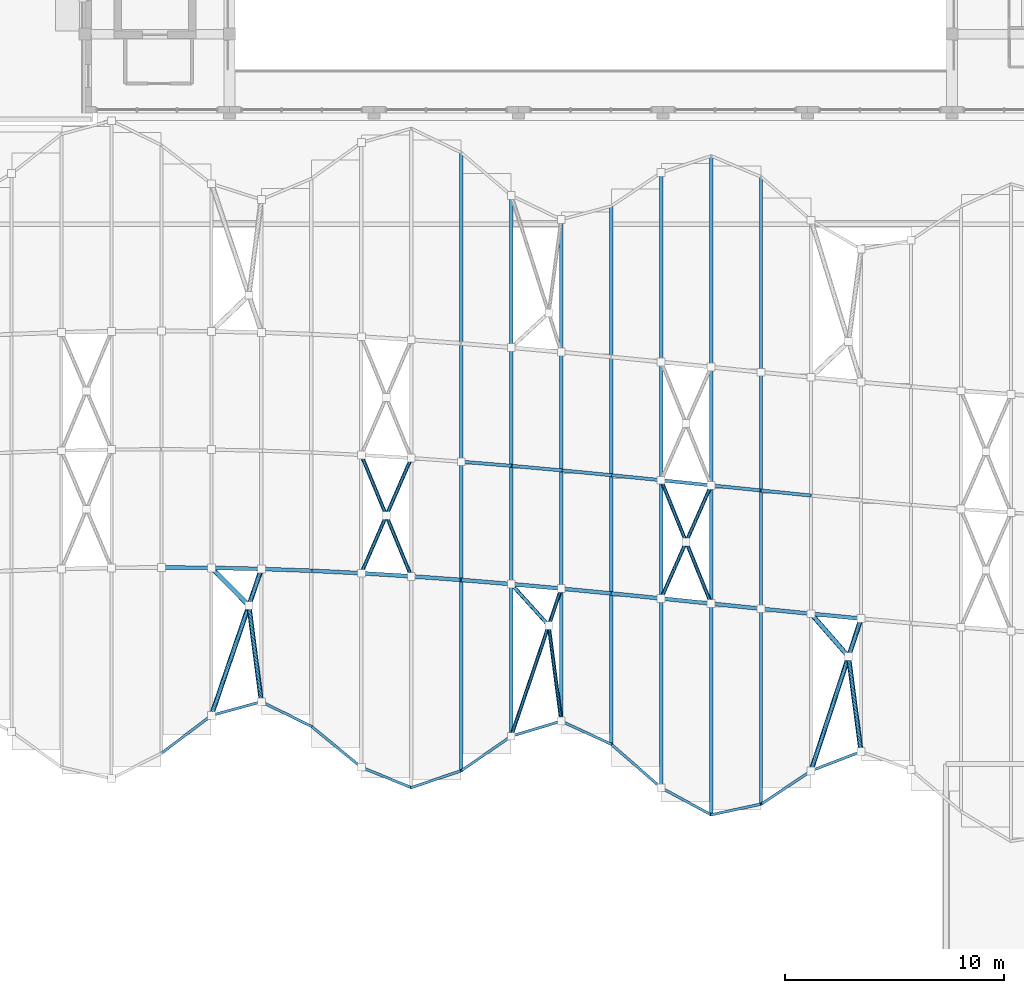
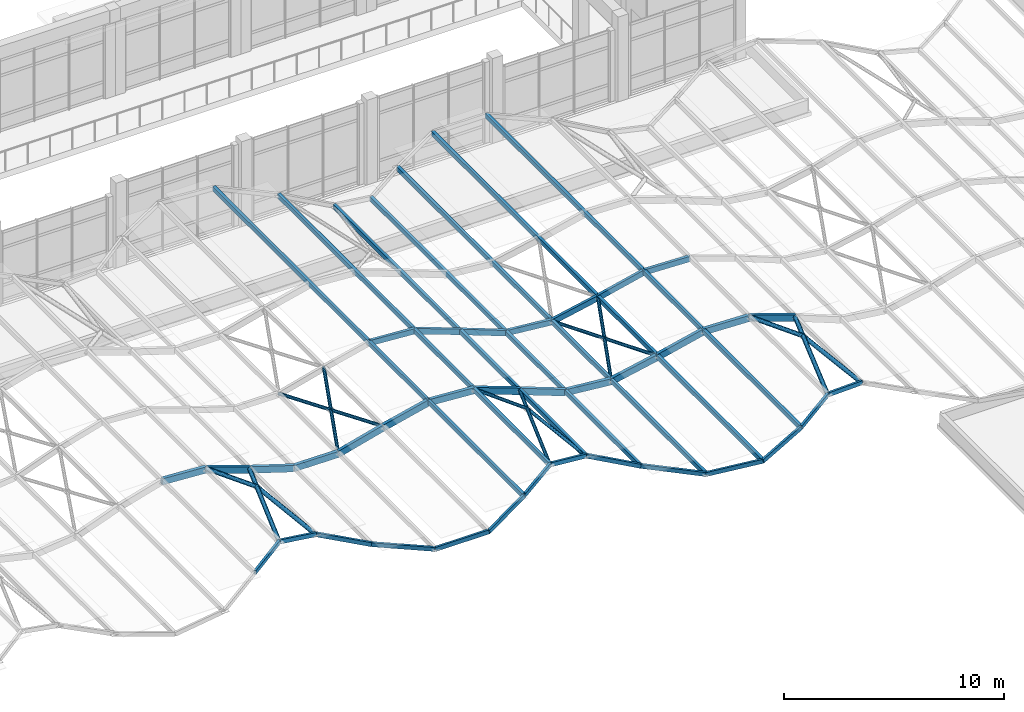
# One storey, part 14 of 79: 57 members.
"""IFC4 building model written with IfcOpenShell, lengths in metres."""

from ifc_helpers import new_model, si_unit, direction, frame, origin, origin_2d, place, context, subcontext, project, spatial, hollow_rectangle, hollow_circle, extrude, material, material_profile, profile_set, type_object, element, save


model = new_model("IFC4")

# Units and contexts
model_context = context("Model", 3, precision=1e-05, world=origin(), true_north=direction((0.0, 1.0)))
body_context = subcontext(model_context, "Body", "Model", "MODEL_VIEW")
ifc_project = project(units=[si_unit("LENGTHUNIT", "METRE"), si_unit("AREAUNIT", "SQUARE_METRE"), si_unit("VOLUMEUNIT", "CUBIC_METRE"), si_unit("PLANEANGLEUNIT", "RADIAN"), si_unit("MASSUNIT", "GRAM", prefix="KILO")], contexts=[model_context])

# Site, building, storey
site_placement = place(None, origin())
site = spatial("IfcSite", under=ifc_project, at=site_placement, CompositionType="ELEMENT")
building_placement = place(site_placement, origin())
building = spatial("IfcBuilding", under=site, at=building_placement, Name="Kolvaren Faculty of Natural Sciences", CompositionType="ELEMENT")
storey_placement = place(building_placement, frame((0.0, 0.0, 10.199951171875)))
storey = spatial("IfcBuildingStorey", under=building, at=storey_placement, Name="L02", CompositionType="ELEMENT", Elevation=10.199951171875)

# Members
ifc_material = material(Name="Structural steel EN 10210-1 S355J2H (white architectural finish)", Category="steel")
ifc_material_profile_1 = material_profile(ifc_material, hollow_circle(Radius=0.084228515625, WallThickness=0.008056640625, at=origin_2d()), Name="CHS 168.3x8")
ifc_profile_set_1 = profile_set([ifc_material_profile_1], Name="Structural steel EN 10210-1 S355J2H (white architectural finish)")
member_type_1 = type_object("IfcMemberType", Name="CanopyGridCrossBrace_CHS168", PredefinedType="BRACE", material=ifc_profile_set_1)
member_1_placement = place(storey_placement, frame((72.227294921875, 51.18798828125, 2.521484375), z_axis=(0.394702036442, 0.90972357875, 0.128892640191), x_axis=(-0.917375819805, 0.398022116517, 0.0)))
element("IfcMember", 1, at=member_1_placement, inside=storey, type_object=member_type_1, Name="Canopy X-brace continuous diagonal S2-16-A", PredefinedType="BRACE", context=body_context, shape_type="SweptSolid", body=[
    extrude(hollow_circle(Radius=0.084228515625, WallThickness=0.008056640625, at=origin_2d()), origin(), (0.0, 0.0, 1.0), 5.781005859375),
])
member_2_placement = place(storey_placement, frame((72.227294921875, 56.588134765625, 2.521484375), z_axis=(0.377832375827, -0.917616013967, 0.123383737537), x_axis=(0.924681473222, 0.380741609337, 0.0)))
element("IfcMember", 2, at=member_2_placement, inside=storey, type_object=member_type_1, Name="Canopy X-brace split diagonal S2-16-B1", PredefinedType="BRACE", context=body_context, shape_type="SweptSolid", body=[
    extrude(hollow_circle(Radius=0.084228515625, WallThickness=0.008056640625, at=origin_2d()), origin(), (0.0, 0.0, 1.0), 3.01953125),
])
member_3_placement = place(storey_placement, frame((73.3681640625, 53.8173828125, 2.89404296875), z_axis=(0.377888448588, -0.917590461401, 0.12340204848), x_axis=(0.924657845415, 0.380798987541, 0.0)))
element("IfcMember", 3, at=member_3_placement, inside=storey, type_object=member_type_1, Name="Canopy X-brace split diagonal S2-16-B2", PredefinedType="BRACE", context=body_context, shape_type="SweptSolid", body=[
    extrude(hollow_circle(Radius=0.084228515625, WallThickness=0.008056640625, at=origin_2d()), origin(), (0.0, 0.0, 1.0), 3.01904296875),
])
member_4_placement = place(storey_placement, frame((79.07275390625, 43.746337890625, 3.9599609375), z_axis=(0.319083720225, 0.942399735649, -0.100341007248), x_axis=(-0.947180053394, 0.320702270732, 0.0)))
element("IfcMember", 4, at=member_4_placement, inside=storey, type_object=member_type_1, Name="Canopy X-brace continuous diagonal S1-19-A", PredefinedType="BRACE", context=body_context, shape_type="SweptSolid", body=[
    extrude(hollow_circle(Radius=0.084228515625, WallThickness=0.008056640625, at=origin_2d()), origin(), (0.0, 0.0, 1.0), 7.15087890625),
])
member_5_placement = place(storey_placement, frame((79.07275390625, 50.692138671875, 3.9599609375), z_axis=(0.656462528453, -0.725573704773, -0.206397063154), x_axis=(0.741540313868, 0.67090831185, 0.0)))
element("IfcMember", 5, at=member_5_placement, inside=storey, type_object=member_type_1, Name="Canopy X-brace split diagonal S1-19-B1", PredefinedType="BRACE", context=body_context, shape_type="SweptSolid", body=[
    extrude(hollow_circle(Radius=0.084228515625, WallThickness=0.008056640625, at=origin_2d()), origin(), (0.0, 0.0, 1.0), 2.60693359375),
])
member_6_placement = place(storey_placement, frame((80.7841796875, 48.800537109375, 3.421875), z_axis=(0.129433224531, -0.990751493079, -0.040724922958), x_axis=(0.991574106722, 0.12954069198, 0.0)))
element("IfcMember", 6, at=member_6_placement, inside=storey, type_object=member_type_1, Name="Canopy X-brace split diagonal S1-19-B2", PredefinedType="BRACE", context=body_context, shape_type="SweptSolid", body=[
    extrude(hollow_circle(Radius=0.084228515625, WallThickness=0.008056640625, at=origin_2d()), origin(), (0.0, 0.0, 1.0), 4.40625),
])
member_7_placement = place(storey_placement, frame((85.918212890625, 50.034912109375, 2.462158203125), z_axis=(0.401135453106, 0.908027139516, 0.120735504985), x_axis=(-0.914718569105, 0.404091498717, 0.0)))
element("IfcMember", 7, at=member_7_placement, inside=storey, type_object=member_type_1, Name="Canopy X-brace continuous diagonal S2-22-A", PredefinedType="BRACE", context=body_context, shape_type="SweptSolid", body=[
    extrude(hollow_circle(Radius=0.084228515625, WallThickness=0.008056640625, at=origin_2d()), origin(), (0.0, 0.0, 1.0), 5.688232421875),
])
for number, where, z_axis, x_axis, name in (
    (8, (85.918212890625, 55.434814453125, 2.462158203125), (0.372960043203, -0.921026941699, 0.112295052597), (0.92688960448, 0.375334066008, 0.0), "Canopy X-brace split diagonal S2-22-B1"),
    (9, (87.05908203125, 52.617431640625, 2.8056640625), (0.372963384699, -0.921035193543, 0.112216246284), (0.92688960448, 0.375334066008, 0.0), "Canopy X-brace split diagonal S2-22-B2"),
):
    element("IfcMember", number, at=place(storey_placement, frame(where, z_axis=z_axis, x_axis=x_axis)), inside=storey, type_object=member_type_1, Name=name, PredefinedType="BRACE", context=body_context, shape_type="SweptSolid", body=[
        extrude(hollow_circle(Radius=0.084228515625, WallThickness=0.008056640625, at=origin_2d()), origin(), (0.0, 0.0, 1.0), 3.058837890625),
    ])
ifc_material_profile_2 = material_profile(ifc_material, hollow_rectangle(XDim=0.14990234375, YDim=0.300048828125, WallThickness=0.010009765625, at=origin_2d()), Name="RHS 300x150x10")
ifc_profile_set_2 = profile_set([ifc_material_profile_2], Name="Structural steel EN 10210-1 S355J2H (white architectural finish)")
member_type_2 = type_object("IfcMemberType", Name="CanopyRidgeChord_RHS300", PredefinedType="PURLIN", material=ifc_profile_set_2)
member_8_placement = place(storey_placement, frame((76.791015625, 56.280517578125, 3.947021484375), z_axis=(0.996592194974, -0.082320690618, -0.005225017928), x_axis=(0.082321814352, 0.996605799141, 0.0)))
element("IfcMember", 10, at=member_8_placement, inside=storey, type_object=member_type_2, Name="Covered street wave canopy ridge chord 18", PredefinedType="PURLIN", context=body_context, shape_type="SweptSolid", body=[
    extrude(hollow_rectangle(XDim=0.14990234375, YDim=0.300048828125, WallThickness=0.010009765625, at=origin_2d()), origin(), (0.0, 0.0, 1.0), 2.28955078125),
])
member_9_placement = place(storey_placement, frame((79.07275390625, 56.092041015625, 3.93505859375), z_axis=(0.950407709411, -0.086030913991, -0.29887098844), x_axis=(0.090151417481, 0.995928070659, 0.0)))
element("IfcMember", 11, at=member_9_placement, inside=storey, type_object=member_type_2, Name="Covered street wave canopy ridge chord 19", PredefinedType="PURLIN", context=body_context, shape_type="SweptSolid", body=[
    extrude(hollow_rectangle(XDim=0.14990234375, YDim=0.300048828125, WallThickness=0.010009765625, at=origin_2d()), origin(), (0.0, 0.0, 1.0), 2.40087890625),
])
member_10_placement = place(storey_placement, frame((81.3544921875, 55.885498046875, 3.217529296875), z_axis=(0.94791266905, -0.091677870207, -0.305052028298), x_axis=(0.096266339163, 0.995355610797, 0.0)))
element("IfcMember", 12, at=member_10_placement, inside=storey, type_object=member_type_2, Name="Covered street wave canopy ridge chord 20", PredefinedType="PURLIN", context=body_context, shape_type="SweptSolid", body=[
    extrude(hollow_rectangle(XDim=0.14990234375, YDim=0.300048828125, WallThickness=0.010009765625, at=origin_2d()), origin(), (0.0, 0.0, 1.0), 2.407470703125),
])
member_11_placement = place(storey_placement, frame((83.636474609375, 55.664794921875, 2.483154296875), z_axis=(0.994759671724, -0.100263600553, -0.020010145333), x_axis=(0.100283679652, 0.994958885379, 0.0)))
element("IfcMember", 13, at=member_11_placement, inside=storey, type_object=member_type_2, Name="Covered street wave canopy ridge chord 21", PredefinedType="PURLIN", context=body_context, shape_type="SweptSolid", body=[
    extrude(hollow_rectangle(XDim=0.14990234375, YDim=0.300048828125, WallThickness=0.010009765625, at=origin_2d()), origin(), (0.0, 0.0, 1.0), 2.293701171875),
])
member_12_placement = place(storey_placement, frame((85.918212890625, 55.434814453125, 2.437255859375), z_axis=(0.952976634252, -0.098091538856, 0.28672911358), x_axis=(0.102390752596, 0.994744255466, 0.0)))
element("IfcMember", 14, at=member_12_placement, inside=storey, type_object=member_type_2, Name="Covered street wave canopy ridge chord 22", PredefinedType="PURLIN", context=body_context, shape_type="SweptSolid", body=[
    extrude(hollow_rectangle(XDim=0.14990234375, YDim=0.300048828125, WallThickness=0.010009765625, at=origin_2d()), origin(), (0.0, 0.0, 1.0), 2.394287109375),
])
member_13_placement = place(storey_placement, frame((88.199951171875, 55.199951171875, 3.123779296875), z_axis=(0.944292364568, -0.097197651906, 0.314427331322), x_axis=(0.102390752596, 0.994744255466, 0.0)))
element("IfcMember", 15, at=member_13_placement, inside=storey, type_object=member_type_2, Name="Covered street wave canopy ridge chord 23", PredefinedType="PURLIN", context=body_context, shape_type="SweptSolid", body=[
    extrude(hollow_rectangle(XDim=0.14990234375, YDim=0.300048828125, WallThickness=0.010009765625, at=origin_2d()), origin(), (0.0, 0.0, 1.0), 2.416259765625),
])
member_14_placement = place(storey_placement, frame((90.481689453125, 54.965087890625, 3.883544921875), z_axis=(0.993948117452, -0.100171084481, 0.045087621889), x_axis=(0.100273058564, 0.994959955841, 0.0)))
element("IfcMember", 16, at=member_14_placement, inside=storey, type_object=member_type_2, Name="Covered street wave canopy ridge chord 24", PredefinedType="PURLIN", context=body_context, shape_type="SweptSolid", body=[
    extrude(hollow_rectangle(XDim=0.14990234375, YDim=0.300048828125, WallThickness=0.010009765625, at=origin_2d()), origin(), (0.0, 0.0, 1.0), 2.2958984375),
])
ifc_material_profile_3 = material_profile(ifc_material, hollow_rectangle(XDim=0.175048828125, YDim=0.35009765625, WallThickness=0.012451171875, at=origin_2d()), Name="RHS 350x175x12.5")
ifc_profile_set_3 = profile_set([ifc_material_profile_3], Name="Structural steel EN 10210-1 S355J2H (white architectural finish)")
member_type_3 = type_object("IfcMemberType", Name="CanopySpineChord_RHS350", PredefinedType="PURLIN", material=ifc_profile_set_3)
member_15_placement = place(storey_placement, frame((63.10009765625, 51.449951171875, 3.970947265625), z_axis=(0.99842862178, -0.007371236347, -0.055551346386), x_axis=(0.00738263638, 0.999972747969, 0.0)))
element("IfcMember", 17, at=member_15_placement, inside=storey, type_object=member_type_3, Name="Covered street wave canopy s-spine chord 12", PredefinedType="PURLIN", context=body_context, shape_type="SweptSolid", body=[
    extrude(hollow_rectangle(XDim=0.175048828125, YDim=0.35009765625, WallThickness=0.012451171875, at=origin_2d()), origin(), (0.0, 0.0, 1.0), 2.285400390625),
])
member_16_placement = place(storey_placement, frame((65.3818359375, 51.43310546875, 3.843994140625), z_axis=(0.947390209593, -0.020679178553, -0.319412213827), x_axis=(0.021822321893, 0.999761864779, 0.0)))
element("IfcMember", 18, at=member_16_placement, inside=storey, type_object=member_type_3, Name="Covered street wave canopy s-spine chord 13", PredefinedType="PURLIN", context=body_context, shape_type="SweptSolid", body=[
    extrude(hollow_rectangle(XDim=0.175048828125, YDim=0.35009765625, WallThickness=0.012451171875, at=origin_2d()), origin(), (0.0, 0.0, 1.0), 2.408447265625),
])
member_17_placement = place(storey_placement, frame((67.66357421875, 51.38330078125, 3.07470703125), z_axis=(0.95859765012, -0.034664170936, -0.282646316864), x_axis=(0.036137715307, 0.999346819444, 0.0)))
element("IfcMember", 19, at=member_17_placement, inside=storey, type_object=member_type_3, Name="Covered street wave canopy s-spine chord 14", PredefinedType="PURLIN", context=body_context, shape_type="SweptSolid", body=[
    extrude(hollow_rectangle(XDim=0.175048828125, YDim=0.35009765625, WallThickness=0.012451171875, at=origin_2d()), origin(), (0.0, 0.0, 1.0), 2.380615234375),
])
member_18_placement = place(storey_placement, frame((69.945556640625, 51.30078125, 2.40185546875), z_axis=(0.998317497296, -0.049349741467, 0.030443022334), x_axis=(0.049372625492, 0.998780428248, 0.0)))
element("IfcMember", 20, at=member_18_placement, inside=storey, type_object=member_type_3, Name="Covered street wave canopy s-spine chord 15", PredefinedType="PURLIN", context=body_context, shape_type="SweptSolid", body=[
    extrude(hollow_rectangle(XDim=0.175048828125, YDim=0.35009765625, WallThickness=0.012451171875, at=origin_2d()), origin(), (0.0, 0.0, 1.0), 2.28564453125),
])
member_19_placement = place(storey_placement, frame((72.227294921875, 51.18798828125, 2.471435546875), z_axis=(0.948965276915, -0.05858687832, 0.309891079087), x_axis=(0.061620319415, 0.998099662476, 0.0)))
element("IfcMember", 21, at=member_19_placement, inside=storey, type_object=member_type_3, Name="Covered street wave canopy s-spine chord 16", PredefinedType="PURLIN", context=body_context, shape_type="SweptSolid", body=[
    extrude(hollow_rectangle(XDim=0.175048828125, YDim=0.35009765625, WallThickness=0.012451171875, at=origin_2d()), origin(), (0.0, 0.0, 1.0), 2.404541015625),
])
member_20_placement = place(storey_placement, frame((74.509033203125, 51.047119140625, 3.216552734375), z_axis=(0.953091730563, -0.069541945035, 0.294584573617), x_axis=(0.072771134094, 0.997348666236, 0.0)))
element("IfcMember", 22, at=member_20_placement, inside=storey, type_object=member_type_3, Name="Covered street wave canopy s-spine chord 17", PredefinedType="PURLIN", context=body_context, shape_type="SweptSolid", body=[
    extrude(hollow_rectangle(XDim=0.175048828125, YDim=0.35009765625, WallThickness=0.012451171875, at=origin_2d()), origin(), (0.0, 0.0, 1.0), 2.394287109375),
])
member_21_placement = place(storey_placement, frame((76.791015625, 50.880615234375, 3.921875), z_axis=(0.99659274457, -0.082320736016, -0.005118387732), x_axis=(0.082321814352, 0.996605799141, 0.0)))
element("IfcMember", 23, at=member_21_placement, inside=storey, type_object=member_type_3, Name="Covered street wave canopy s-spine chord 18", PredefinedType="PURLIN", context=body_context, shape_type="SweptSolid", body=[
    extrude(hollow_rectangle(XDim=0.175048828125, YDim=0.35009765625, WallThickness=0.012451171875, at=origin_2d()), origin(), (0.0, 0.0, 1.0), 2.28955078125),
])
member_22_placement = place(storey_placement, frame((79.07275390625, 50.692138671875, 3.91015625), z_axis=(0.950370501661, -0.086129233352, -0.298960975271), x_axis=(0.090257111858, 0.995918497548, 0.0)))
element("IfcMember", 24, at=member_22_placement, inside=storey, type_object=member_type_3, Name="Covered street wave canopy s-spine chord 19", PredefinedType="PURLIN", context=body_context, shape_type="SweptSolid", body=[
    extrude(hollow_rectangle(XDim=0.175048828125, YDim=0.35009765625, WallThickness=0.012451171875, at=origin_2d()), origin(), (0.0, 0.0, 1.0), 2.40087890625),
])
member_23_placement = place(storey_placement, frame((81.3544921875, 50.4853515625, 3.1923828125), z_axis=(0.947950799727, -0.091580140382, -0.30496288165), x_axis=(0.096160835087, 0.995365809035, 0.0)))
element("IfcMember", 25, at=member_23_placement, inside=storey, type_object=member_type_3, Name="Covered street wave canopy s-spine chord 20", PredefinedType="PURLIN", context=body_context, shape_type="SweptSolid", body=[
    extrude(hollow_rectangle(XDim=0.175048828125, YDim=0.35009765625, WallThickness=0.012451171875, at=origin_2d()), origin(), (0.0, 0.0, 1.0), 2.4072265625),
])
member_24_placement = place(storey_placement, frame((83.636474609375, 50.264892578125, 2.458251953125), z_axis=(0.994759671724, -0.100263600553, -0.020010145333), x_axis=(0.100283679652, 0.994958885379, 0.0)))
element("IfcMember", 26, at=member_24_placement, inside=storey, type_object=member_type_3, Name="Covered street wave canopy s-spine chord 21", PredefinedType="PURLIN", context=body_context, shape_type="SweptSolid", body=[
    extrude(hollow_rectangle(XDim=0.175048828125, YDim=0.35009765625, WallThickness=0.012451171875, at=origin_2d()), origin(), (0.0, 0.0, 1.0), 2.293701171875),
])
member_25_placement = place(storey_placement, frame((85.918212890625, 50.034912109375, 2.412353515625), z_axis=(0.952976634252, -0.098091538856, 0.28672911358), x_axis=(0.102390752596, 0.994744255466, 0.0)))
element("IfcMember", 27, at=member_25_placement, inside=storey, type_object=member_type_3, Name="Covered street wave canopy s-spine chord 22", PredefinedType="PURLIN", context=body_context, shape_type="SweptSolid", body=[
    extrude(hollow_rectangle(XDim=0.175048828125, YDim=0.35009765625, WallThickness=0.012451171875, at=origin_2d()), origin(), (0.0, 0.0, 1.0), 2.394287109375),
])
member_26_placement = place(storey_placement, frame((88.199951171875, 49.800048828125, 3.098876953125), z_axis=(0.944292364568, -0.097197651906, 0.314427331322), x_axis=(0.102390752596, 0.994744255466, 0.0)))
element("IfcMember", 28, at=member_26_placement, inside=storey, type_object=member_type_3, Name="Covered street wave canopy s-spine chord 23", PredefinedType="PURLIN", context=body_context, shape_type="SweptSolid", body=[
    extrude(hollow_rectangle(XDim=0.175048828125, YDim=0.35009765625, WallThickness=0.012451171875, at=origin_2d()), origin(), (0.0, 0.0, 1.0), 2.416259765625),
])
member_27_placement = place(storey_placement, frame((90.481689453125, 49.565185546875, 3.858642578125), z_axis=(0.993948117452, -0.100171084481, 0.045087621889), x_axis=(0.100273058564, 0.994959955841, 0.0)))
element("IfcMember", 29, at=member_27_placement, inside=storey, type_object=member_type_3, Name="Covered street wave canopy s-spine chord 24", PredefinedType="PURLIN", context=body_context, shape_type="SweptSolid", body=[
    extrude(hollow_rectangle(XDim=0.175048828125, YDim=0.35009765625, WallThickness=0.012451171875, at=origin_2d()), origin(), (0.0, 0.0, 1.0), 2.2958984375),
])
member_28_placement = place(storey_placement, frame((92.763671875, 49.335205078125, 3.962158203125), z_axis=(0.957346241521, -0.092600150047, -0.273703098368), x_axis=(0.096276543965, 0.995354623781, 0.0)))
element("IfcMember", 30, at=member_28_placement, inside=storey, type_object=member_type_3, Name="Covered street wave canopy s-spine chord 25", PredefinedType="PURLIN", context=body_context, shape_type="SweptSolid", body=[
    extrude(hollow_rectangle(XDim=0.175048828125, YDim=0.35009765625, WallThickness=0.012451171875, at=origin_2d()), origin(), (0.0, 0.0, 1.0), 2.38330078125),
])
ifc_material_profile_4 = material_profile(ifc_material, hollow_rectangle(XDim=0.14990234375, YDim=0.25, WallThickness=0.010009765625, at=origin_2d()), Name="RHS 250x150x10")
ifc_profile_set_4 = profile_set([ifc_material_profile_4], Name="Structural steel EN 10210-1 S355J2H (white architectural finish)")
member_type_4 = type_object("IfcMemberType", Name="CanopyTransverseRafter_RHS250", PredefinedType="RAFTER", material=ifc_profile_set_4)
member_29_placement = place(storey_placement, frame((76.791015625, 42.171142578125, 3.971923828125), z_axis=(0.0, 1.0, 0.0), x_axis=(-1.0, 0.0, 0.0)))
element("IfcMember", 31, at=member_29_placement, inside=storey, type_object=member_type_4, Name="Covered street canopy transverse rafter 18", PredefinedType="RAFTER", context=body_context, shape_type="SweptSolid", body=[
    extrude(hollow_rectangle(XDim=0.14990234375, YDim=0.25, WallThickness=0.010009765625, at=origin_2d()), origin(), (0.0, 0.0, 1.0), 28.21875),
])
member_30_placement = place(storey_placement, frame((79.07275390625, 43.746337890625, 3.9599609375), z_axis=(0.0, 1.0, 0.0), x_axis=(-1.0, 0.0, 0.0)))
element("IfcMember", 32, at=member_30_placement, inside=storey, type_object=member_type_4, Name="Covered street canopy transverse rafter 19", PredefinedType="RAFTER", context=body_context, shape_type="SweptSolid", body=[
    extrude(hollow_rectangle(XDim=0.14990234375, YDim=0.25, WallThickness=0.010009765625, at=origin_2d()), origin(), (0.0, 0.0, 1.0), 24.691650390625),
])
member_31_placement = place(storey_placement, frame((81.3544921875, 44.43505859375, 3.242431640625), z_axis=(0.0, 1.0, 0.0), x_axis=(-1.0, 0.0, 0.0)))
element("IfcMember", 33, at=member_31_placement, inside=storey, type_object=member_type_4, Name="Covered street canopy transverse rafter 20", PredefinedType="RAFTER", context=body_context, shape_type="SweptSolid", body=[
    extrude(hollow_rectangle(XDim=0.14990234375, YDim=0.25, WallThickness=0.010009765625, at=origin_2d()), origin(), (0.0, 0.0, 1.0), 22.900634765625),
])
member_32_placement = place(storey_placement, frame((83.636474609375, 43.3818359375, 2.508056640625), z_axis=(0.0, 1.0, 0.0), x_axis=(-1.0, 0.0, 0.0)))
element("IfcMember", 34, at=member_32_placement, inside=storey, type_object=member_type_4, Name="Covered street canopy transverse rafter 21", PredefinedType="RAFTER", context=body_context, shape_type="SweptSolid", body=[
    extrude(hollow_rectangle(XDim=0.14990234375, YDim=0.25, WallThickness=0.010009765625, at=origin_2d()), origin(), (0.0, 0.0, 1.0), 24.566162109375),
])
member_33_placement = place(storey_placement, frame((85.918212890625, 41.390625, 2.462158203125), z_axis=(0.0, 1.0, 0.0), x_axis=(-1.0, 0.0, 0.0)))
element("IfcMember", 35, at=member_33_placement, inside=storey, type_object=member_type_4, Name="Covered street canopy transverse rafter 22", PredefinedType="RAFTER", context=body_context, shape_type="SweptSolid", body=[
    extrude(hollow_rectangle(XDim=0.14990234375, YDim=0.25, WallThickness=0.010009765625, at=origin_2d()), origin(), (0.0, 0.0, 1.0), 28.08837890625),
])
member_34_placement = place(storey_placement, frame((88.199951171875, 40.1572265625, 3.14892578125), z_axis=(0.0, 1.0, 0.0), x_axis=(-1.0, 0.0, 0.0)))
element("IfcMember", 36, at=member_34_placement, inside=storey, type_object=member_type_4, Name="Covered street canopy transverse rafter 23", PredefinedType="RAFTER", context=body_context, shape_type="SweptSolid", body=[
    extrude(hollow_rectangle(XDim=0.14990234375, YDim=0.25, WallThickness=0.010009765625, at=origin_2d()), origin(), (0.0, 0.0, 1.0), 30.085693359375),
])
member_35_placement = place(storey_placement, frame((90.481689453125, 40.645263671875, 3.90869140625), z_axis=(0.0, 1.0, 0.0), x_axis=(-1.0, 0.0, 0.0)))
element("IfcMember", 37, at=member_35_placement, inside=storey, type_object=member_type_4, Name="Covered street canopy transverse rafter 24", PredefinedType="RAFTER", context=body_context, shape_type="SweptSolid", body=[
    extrude(hollow_rectangle(XDim=0.14990234375, YDim=0.25, WallThickness=0.010009765625, at=origin_2d()), origin(), (0.0, 0.0, 1.0), 28.639892578125),
])
ifc_material_profile_5 = material_profile(ifc_material, hollow_rectangle(XDim=0.1201171875, YDim=0.219970703125, WallThickness=0.008056640625, at=origin_2d()), Name="RHS 220x120x8")
ifc_profile_set_5 = profile_set([ifc_material_profile_5], Name="Structural steel EN 10210-1 S355J2H (white architectural finish)")
member_type_5 = type_object("IfcMemberType", Name="CanopyWaveEdgeChord_RHS220", PredefinedType="RAFTER", material=ifc_profile_set_5)
member_36_placement = place(storey_placement, frame((63.10009765625, 42.967529296875, 4.035888671875), z_axis=(0.796690219979, 0.602760169641, -0.044326868649), x_axis=(-0.603353216805, 0.797474072162, 0.0)))
element("IfcMember", 38, at=member_36_placement, inside=storey, type_object=member_type_5, Name="Covered street wave canopy s-wave chord 12", PredefinedType="RAFTER", context=body_context, shape_type="SweptSolid", body=[
    extrude(hollow_rectangle(XDim=0.1201171875, YDim=0.219970703125, WallThickness=0.008056640625, at=origin_2d()), origin(), (0.0, 0.0, 1.0), 2.864013671875),
])
member_37_placement = place(storey_placement, frame((65.3818359375, 44.69384765625, 3.908935546875), z_axis=(0.917041649902, 0.251877371635, -0.309180209591), x_axis=(-0.264854314261, 0.964288438289, 0.0)))
element("IfcMember", 39, at=member_37_placement, inside=storey, type_object=member_type_5, Name="Covered street wave canopy s-wave chord 13", PredefinedType="RAFTER", context=body_context, shape_type="SweptSolid", body=[
    extrude(hollow_rectangle(XDim=0.1201171875, YDim=0.219970703125, WallThickness=0.008056640625, at=origin_2d()), origin(), (0.0, 0.0, 1.0), 2.488037109375),
])
member_38_placement = place(storey_placement, frame((67.66357421875, 45.320556640625, 3.1396484375), z_axis=(0.867528774766, -0.426571332922, -0.255794297984), x_axis=(0.441251216782, 0.89738362125, 0.0)))
element("IfcMember", 40, at=member_38_placement, inside=storey, type_object=member_type_5, Name="Covered street wave canopy s-wave chord 14", PredefinedType="RAFTER", context=body_context, shape_type="SweptSolid", body=[
    extrude(hollow_rectangle(XDim=0.1201171875, YDim=0.219970703125, WallThickness=0.008056640625, at=origin_2d()), origin(), (0.0, 0.0, 1.0), 2.63037109375),
])
member_39_placement = place(storey_placement, frame((69.945556640625, 44.198486328125, 2.466796875), z_axis=(0.773163155716, -0.633768771232, 0.023577091738), x_axis=(0.633944994161, 0.773378138027, 0.0)))
element("IfcMember", 41, at=member_39_placement, inside=storey, type_object=member_type_5, Name="Covered street wave canopy s-wave chord 15", PredefinedType="RAFTER", context=body_context, shape_type="SweptSolid", body=[
    extrude(hollow_rectangle(XDim=0.1201171875, YDim=0.219970703125, WallThickness=0.008056640625, at=origin_2d()), origin(), (0.0, 0.0, 1.0), 2.951171875),
])
member_40_placement = place(storey_placement, frame((72.227294921875, 42.328125, 2.536376953125), z_axis=(0.886498047353, -0.360916442347, 0.289586832717), x_axis=(0.377073377937, 0.9261833877, 0.0)))
element("IfcMember", 42, at=member_40_placement, inside=storey, type_object=member_type_5, Name="Covered street wave canopy s-wave chord 16", PredefinedType="RAFTER", context=body_context, shape_type="SweptSolid", body=[
    extrude(hollow_rectangle(XDim=0.1201171875, YDim=0.219970703125, WallThickness=0.008056640625, at=origin_2d()), origin(), (0.0, 0.0, 1.0), 2.573974609375),
])
member_41_placement = place(storey_placement, frame((74.509033203125, 41.399169921875, 3.28173828125), z_axis=(0.909101146596, 0.307540154652, 0.28098782631), x_axis=(-0.320450685828, 0.947265199378, 0.0)))
element("IfcMember", 43, at=member_41_placement, inside=storey, type_object=member_type_5, Name="Covered street wave canopy s-wave chord 17", PredefinedType="RAFTER", context=body_context, shape_type="SweptSolid", body=[
    extrude(hollow_rectangle(XDim=0.1201171875, YDim=0.219970703125, WallThickness=0.008056640625, at=origin_2d()), origin(), (0.0, 0.0, 1.0), 2.51025390625),
])
member_42_placement = place(storey_placement, frame((76.791015625, 42.171142578125, 3.987060546875), z_axis=(0.822938250103, 0.568114443576, -0.004314570325), x_axis=(-0.568119731522, 0.822945909921, 0.0)))
element("IfcMember", 44, at=member_42_placement, inside=storey, type_object=member_type_5, Name="Covered street wave canopy s-wave chord 18", PredefinedType="RAFTER", context=body_context, shape_type="SweptSolid", body=[
    extrude(hollow_rectangle(XDim=0.1201171875, YDim=0.219970703125, WallThickness=0.008056640625, at=origin_2d()), origin(), (0.0, 0.0, 1.0), 2.772705078125),
])
member_43_placement = place(storey_placement, frame((79.07275390625, 43.746337890625, 3.97509765625), z_axis=(0.916699837722, 0.276697008583, -0.288271006106), x_axis=(-0.288963852365, 0.957340008579, 0.0)))
element("IfcMember", 45, at=member_43_placement, inside=storey, type_object=member_type_5, Name="Covered street wave canopy s-wave chord 19", PredefinedType="RAFTER", context=body_context, shape_type="SweptSolid", body=[
    extrude(hollow_rectangle(XDim=0.1201171875, YDim=0.219970703125, WallThickness=0.008056640625, at=origin_2d()), origin(), (0.0, 0.0, 1.0), 2.489013671875),
])
member_44_placement = place(storey_placement, frame((81.3544921875, 44.43505859375, 3.257568359375), z_axis=(0.871517257847, -0.402238734391, -0.280466878314), x_axis=(0.419058177462, 0.9079593845, 0.0)))
element("IfcMember", 46, at=member_44_placement, inside=storey, type_object=member_type_5, Name="Covered street wave canopy s-wave chord 20", PredefinedType="RAFTER", context=body_context, shape_type="SweptSolid", body=[
    extrude(hollow_rectangle(XDim=0.1201171875, YDim=0.219970703125, WallThickness=0.008056640625, at=origin_2d()), origin(), (0.0, 0.0, 1.0), 2.618408203125),
])
member_45_placement = place(storey_placement, frame((83.636474609375, 43.3818359375, 2.523193359375), z_axis=(0.753358469641, -0.657435446008, -0.015154225582), x_axis=(0.65751094922, 0.753444989138, 0.0)))
element("IfcMember", 47, at=member_45_placement, inside=storey, type_object=member_type_5, Name="Covered street wave canopy s-wave chord 21", PredefinedType="RAFTER", context=body_context, shape_type="SweptSolid", body=[
    extrude(hollow_rectangle(XDim=0.1201171875, YDim=0.219970703125, WallThickness=0.008056640625, at=origin_2d()), origin(), (0.0, 0.0, 1.0), 3.02880859375),
])
member_46_placement = place(storey_placement, frame((85.918212890625, 41.390625, 2.477294921875), z_axis=(0.850417687124, -0.459695073331, 0.255871446201), x_axis=(0.475524909224, 0.87970225685, 0.0)))
element("IfcMember", 48, at=member_46_placement, inside=storey, type_object=member_type_5, Name="Covered street wave canopy s-wave chord 22", PredefinedType="RAFTER", context=body_context, shape_type="SweptSolid", body=[
    extrude(hollow_rectangle(XDim=0.1201171875, YDim=0.219970703125, WallThickness=0.008056640625, at=origin_2d()), origin(), (0.0, 0.0, 1.0), 2.68310546875),
])
member_47_placement = place(storey_placement, frame((88.199951171875, 40.1572265625, 3.163818359375), z_axis=(0.929831678094, 0.19888011176, 0.309612260029), x_axis=(-0.209157505711, 0.97788196517, 0.0)))
element("IfcMember", 49, at=member_47_placement, inside=storey, type_object=member_type_5, Name="Covered street wave canopy s-wave chord 23", PredefinedType="RAFTER", context=body_context, shape_type="SweptSolid", body=[
    extrude(hollow_rectangle(XDim=0.1201171875, YDim=0.219970703125, WallThickness=0.008056640625, at=origin_2d()), origin(), (0.0, 0.0, 1.0), 2.453857421875),
])
member_48_placement = place(storey_placement, frame((90.481689453125, 40.645263671875, 3.923583984375), z_axis=(0.83167691255, 0.553976725959, 0.037726651431), x_axis=(-0.554371384897, 0.832269408069, 0.0)))
element("IfcMember", 50, at=member_48_placement, inside=storey, type_object=member_type_5, Name="Covered street wave canopy s-wave chord 24", PredefinedType="RAFTER", context=body_context, shape_type="SweptSolid", body=[
    extrude(hollow_rectangle(XDim=0.1201171875, YDim=0.219970703125, WallThickness=0.008056640625, at=origin_2d()), origin(), (0.0, 0.0, 1.0), 2.743896484375),
])
member_49_placement = place(storey_placement, frame((92.763671875, 42.165283203125, 4.027099609375), z_axis=(0.901900977362, 0.346536102044, -0.2578514243), x_axis=(-0.358664492429, 0.933466540306, 0.0)))
element("IfcMember", 51, at=member_49_placement, inside=storey, type_object=member_type_5, Name="Covered street wave canopy s-wave chord 25", PredefinedType="RAFTER", context=body_context, shape_type="SweptSolid", body=[
    extrude(hollow_rectangle(XDim=0.1201171875, YDim=0.219970703125, WallThickness=0.008056640625, at=origin_2d()), origin(), (0.0, 0.0, 1.0), 2.530029296875),
])
ifc_material_profile_6 = material_profile(ifc_material, hollow_circle(Radius=0.109619140625, WallThickness=0.010009765625, at=origin_2d()), Name="CHS 219.1x10")
ifc_profile_set_6 = profile_set([ifc_material_profile_6], Name="Structural steel EN 10210-1 S355J2H (white architectural finish)")
member_type_6 = type_object("IfcMemberType", Name="CanopyWindBrace_CHS219", PredefinedType="BRACE", material=ifc_profile_set_6)
member_50_placement = place(storey_placement, frame((65.3818359375, 44.69384765625, 3.89404296875), z_axis=(0.320936047586, 0.940899604522, -0.10820345452), x_axis=(-0.94645646761, 0.322831465193, 0.0)))
element("IfcMember", 52, at=member_50_placement, inside=storey, type_object=member_type_6, Name="Canopy X-brace continuous diagonal S1-13-A", PredefinedType="BRACE", context=body_context, shape_type="SweptSolid", body=[
    extrude(hollow_circle(Radius=0.109619140625, WallThickness=0.010009765625, at=origin_2d()), origin(), (0.0, 0.0, 1.0), 7.109619140625),
])
member_51_placement = place(storey_placement, frame((65.3818359375, 51.43310546875, 3.89404296875), z_axis=(0.68579710559, -0.69010168086, -0.231175258275), x_axis=(0.709315532436, 0.704891108928, 0.0)))
element("IfcMember", 53, at=member_51_placement, inside=storey, type_object=member_type_6, Name="Canopy X-brace split diagonal S1-13-B1", PredefinedType="BRACE", context=body_context, shape_type="SweptSolid", body=[
    extrude(hollow_circle(Radius=0.109619140625, WallThickness=0.010009765625, at=origin_2d()), origin(), (0.0, 0.0, 1.0), 2.49560546875),
])
member_52_placement = place(storey_placement, frame((67.09326171875, 49.7109375, 3.317138671875), z_axis=(0.12869671209, -0.990733293458, -0.043413103222), x_axis=(0.991668231518, 0.128818160976, 0.0)))
element("IfcMember", 54, at=member_52_placement, inside=storey, type_object=member_type_6, Name="Canopy X-brace split diagonal S1-13-B2", PredefinedType="BRACE", context=body_context, shape_type="SweptSolid", body=[
    extrude(hollow_circle(Radius=0.109619140625, WallThickness=0.010009765625, at=origin_2d()), origin(), (0.0, 0.0, 1.0), 4.431396484375),
])
member_53_placement = place(storey_placement, frame((92.763671875, 42.165283203125, 4.011962890625), z_axis=(0.310726276807, 0.946342043979, -0.088802684074), x_axis=(-0.950095646337, 0.31195875178, 0.0)))
element("IfcMember", 55, at=member_53_placement, inside=storey, type_object=member_type_6, Name="Canopy X-brace continuous diagonal S1-25-A", PredefinedType="BRACE", context=body_context, shape_type="SweptSolid", body=[
    extrude(hollow_circle(Radius=0.109619140625, WallThickness=0.010009765625, at=origin_2d()), origin(), (0.0, 0.0, 1.0), 7.34326171875),
])
member_54_placement = place(storey_placement, frame((92.763671875, 49.335205078125, 4.011962890625), z_axis=(0.64677004234, -0.73995659623, -0.184804621228), x_axis=(0.752925527237, 0.658105728919, 0.0)))
element("IfcMember", 56, at=member_54_placement, inside=storey, type_object=member_type_6, Name="Canopy X-brace split diagonal S1-25-B1", PredefinedType="BRACE", context=body_context, shape_type="SweptSolid", body=[
    extrude(hollow_circle(Radius=0.109619140625, WallThickness=0.010009765625, at=origin_2d()), origin(), (0.0, 0.0, 1.0), 2.64599609375),
])
member_55_placement = place(storey_placement, frame((94.47509765625, 47.377197265625, 3.52294921875), z_axis=(0.130339332158, -0.990768630622, -0.037271692586), x_axis=(0.991457525976, 0.130429958928, 0.0)))
element("IfcMember", 57, at=member_55_placement, inside=storey, type_object=member_type_6, Name="Canopy X-brace split diagonal S1-25-B2", PredefinedType="BRACE", context=body_context, shape_type="SweptSolid", body=[
    extrude(hollow_circle(Radius=0.109619140625, WallThickness=0.010009765625, at=origin_2d()), origin(), (0.0, 0.0, 1.0), 4.37548828125),
])

save(model, "model.ifc")
